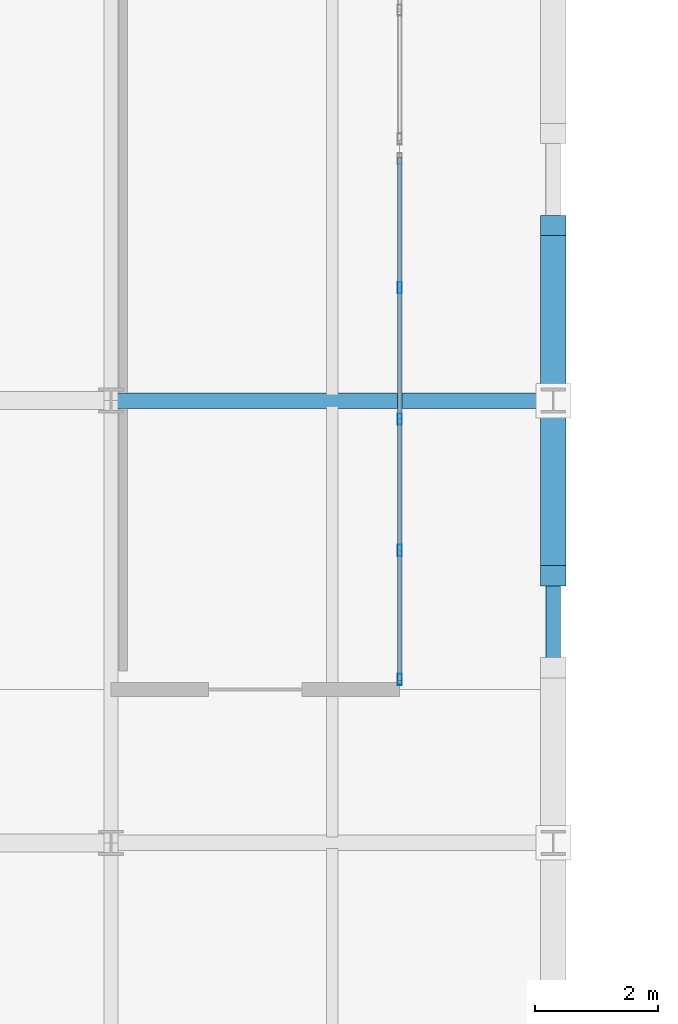
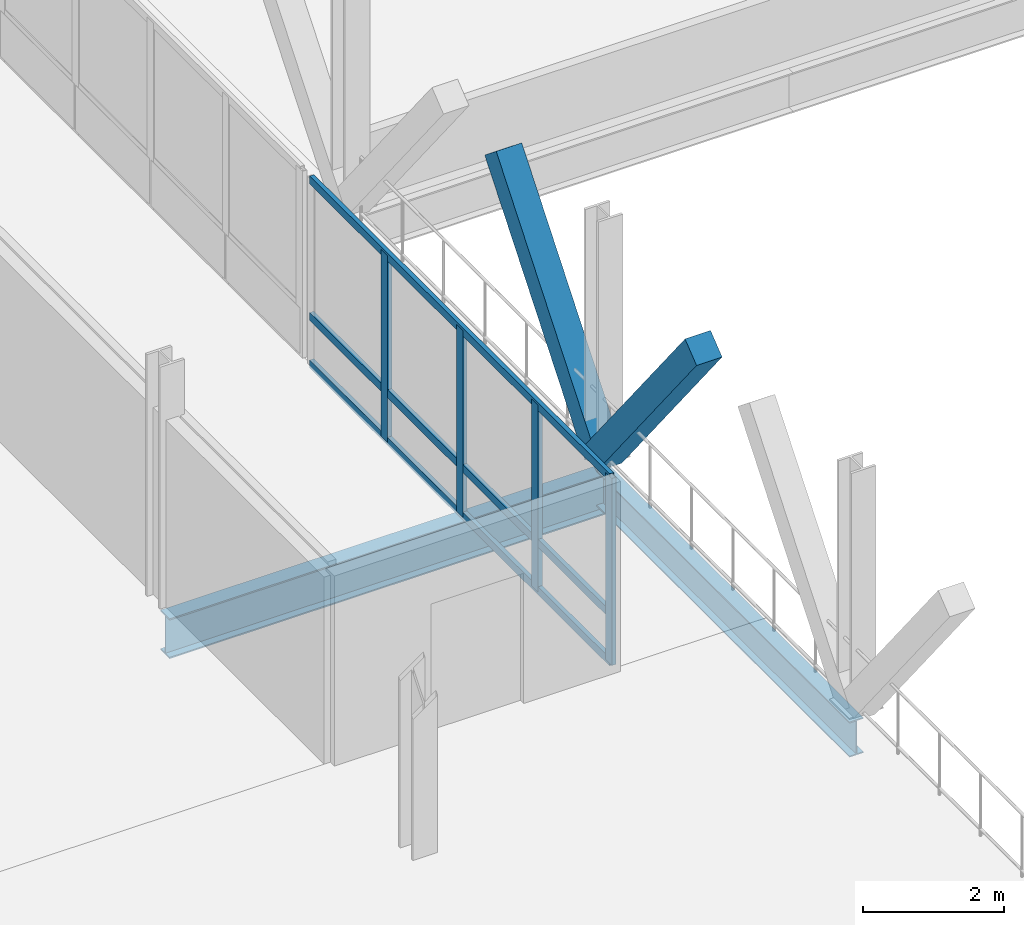
# One storey, part 13 of 102: 9 members, 2 beams, 1 element without a shape of its own.
"""IFC4 building model written with IfcOpenShell, lengths in metres."""

from ifc_helpers import new_model, si_unit, direction, frame, origin, origin_2d, place, context, subcontext, project, spatial, rectangle, hollow_rectangle, i_section, extrude, material, material_profile, profile_set, type_object, element, aggregate, save


model = new_model("IFC4")

# Units and contexts
model_context = context("Model", 3, precision=1e-05, world=origin(), true_north=direction((0.0, 1.0)))
body_context = subcontext(model_context, "Body", "Model", "MODEL_VIEW")
ifc_project = project(units=[si_unit("LENGTHUNIT", "METRE"), si_unit("AREAUNIT", "SQUARE_METRE"), si_unit("VOLUMEUNIT", "CUBIC_METRE"), si_unit("PLANEANGLEUNIT", "RADIAN"), si_unit("MASSUNIT", "GRAM", prefix="KILO")], contexts=[model_context])

# Site, building, storey
site_placement = place(None, origin())
site = spatial("IfcSite", under=ifc_project, at=site_placement, CompositionType="ELEMENT")
building_placement = place(site_placement, origin())
building = spatial("IfcBuilding", under=site, at=building_placement, Name="Yarey Park Central Fire Station", CompositionType="ELEMENT")
storey_placement = place(building_placement, frame((0.0, 0.0, 6.0)))
storey = spatial("IfcBuildingStorey", under=building, at=storey_placement, Name="L02", CompositionType="ELEMENT", Elevation=6.0)

# Curtain wall, members
ifc_material_1 = material(Name="Anodized Aluminium Frame", Category="aluminium")
curtain_wall_type = type_object("IfcCurtainWallType", Name="ENV_CW_V3_GALW", PredefinedType="NOTDEFINED", material=ifc_material_1)
curtain_wall_placement = place(storey_placement, origin())
curtain_wall = element("IfcCurtainWall", 1, at=curtain_wall_placement, inside=storey, type_object=curtain_wall_type, Name="CW_L02_V1_E_037", PredefinedType="NOTDEFINED")
ifc_material_profile_1 = material_profile(ifc_material_1, hollow_rectangle(XDim=0.070068359375, YDim=0.179931640625, WallThickness=0.00390625, at=origin_2d()), Name="ALU 180x70x4")
ifc_profile_set_1 = profile_set([ifc_material_profile_1], Name="Anodized Aluminium Frame")
member_type_1 = type_object("IfcMemberType", Name="ENV_CW_MULLION", PredefinedType="MULLION", material=ifc_profile_set_1)
member_1_placement = place(storey_placement, frame((55.10009765625, 24.260009765625, 0.0), z_axis=(0.0, 0.0, 1.0), x_axis=(1.0, 0.0, 0.0)))
member_1 = element("IfcMember", 2, at=member_1_placement, type_object=member_type_1, Name="CW_L02_V1_E_037_MUL1", PredefinedType="MULLION", context=body_context, shape_type="SweptSolid", body=[
    extrude(hollow_rectangle(XDim=0.070068359375, YDim=0.179931640625, WallThickness=0.00390625, at=origin_2d()), origin(), (0.0, 0.0, 1.0), 3.2470703125),
])
member_2_placement = place(storey_placement, frame((55.10009765625, 26.360107421875, 0.0), z_axis=(0.0, 0.0, 1.0), x_axis=(1.0, 0.0, 0.0)))
member_2 = element("IfcMember", 3, at=member_2_placement, type_object=member_type_1, Name="CW_L02_V1_E_037_MUL2", PredefinedType="MULLION", context=body_context, shape_type="SweptSolid", body=[
    extrude(hollow_rectangle(XDim=0.070068359375, YDim=0.179931640625, WallThickness=0.00390625, at=origin_2d()), origin(), (0.0, 0.0, 1.0), 3.2470703125),
])
member_3_placement = place(storey_placement, frame((55.10009765625, 28.5, 0.0), z_axis=(0.0, 0.0, 1.0), x_axis=(1.0, 0.0, 0.0)))
member_3 = element("IfcMember", 4, at=member_3_placement, type_object=member_type_1, Name="CW_L02_V1_E_037_MUL3", PredefinedType="MULLION", context=body_context, shape_type="SweptSolid", body=[
    extrude(hollow_rectangle(XDim=0.070068359375, YDim=0.179931640625, WallThickness=0.00390625, at=origin_2d()), origin(), (0.0, 0.0, 1.0), 3.2470703125),
])
member_4_placement = place(storey_placement, frame((55.10009765625, 30.639892578125, 0.0), z_axis=(0.0, 0.0, 1.0), x_axis=(1.0, 0.0, 0.0)))
member_4 = element("IfcMember", 5, at=member_4_placement, type_object=member_type_1, Name="CW_L02_V1_E_037_MUL4", PredefinedType="MULLION", context=body_context, shape_type="SweptSolid", body=[
    extrude(hollow_rectangle(XDim=0.070068359375, YDim=0.179931640625, WallThickness=0.00390625, at=origin_2d()), origin(), (0.0, 0.0, 1.0), 3.2470703125),
])
ifc_material_profile_2 = material_profile(ifc_material_1, hollow_rectangle(XDim=0.070068359375, YDim=0.139892578125, WallThickness=0.00390625, at=origin_2d()), Name="ALU 140x70x4")
ifc_profile_set_2 = profile_set([ifc_material_profile_2], Name="Anodized Aluminium Frame")
member_type_2 = type_object("IfcMemberType", Name="ENV_CW_TRANSOM", PredefinedType="USERDEFINED", material=ifc_profile_set_2)
member_5_placement = place(storey_placement, frame((55.10009765625, 24.235107421875, 0.02490234375), z_axis=(0.0, 1.0, 0.0), x_axis=(-1.0, 0.0, 0.0)))
member_5 = element("IfcMember", 6, at=member_5_placement, type_object=member_type_2, Name="CW_L02_V1_E_037_TRN1", ObjectType="TRANSOM", PredefinedType="USERDEFINED", context=body_context, shape_type="SweptSolid", body=[
    extrude(hollow_rectangle(XDim=0.070068359375, YDim=0.139892578125, WallThickness=0.00390625, at=origin_2d()), origin(), (0.0, 0.0, 1.0), 8.52978515625),
])
member_6_placement = place(storey_placement, frame((55.10009765625, 24.235107421875, 0.85009765625), z_axis=(0.0, 1.0, 0.0), x_axis=(-1.0, 0.0, 0.0)))
member_6 = element("IfcMember", 7, at=member_6_placement, type_object=member_type_2, Name="CW_L02_V1_E_037_TRN2", ObjectType="TRANSOM", PredefinedType="USERDEFINED", context=body_context, shape_type="SweptSolid", body=[
    extrude(hollow_rectangle(XDim=0.070068359375, YDim=0.139892578125, WallThickness=0.00390625, at=origin_2d()), origin(), (0.0, 0.0, 1.0), 8.52978515625),
])
member_7_placement = place(storey_placement, frame((55.10009765625, 24.235107421875, 3.221923828125), z_axis=(0.0, 1.0, 0.0), x_axis=(-1.0, 0.0, 0.0)))
member_7 = element("IfcMember", 8, at=member_7_placement, type_object=member_type_2, Name="CW_L02_V1_E_037_TRN3", ObjectType="TRANSOM", PredefinedType="USERDEFINED", context=body_context, shape_type="SweptSolid", body=[
    extrude(hollow_rectangle(XDim=0.070068359375, YDim=0.139892578125, WallThickness=0.00390625, at=origin_2d()), origin(), (0.0, 0.0, 1.0), 8.52978515625),
])
aggregate(curtain_wall, [member_1, member_2, member_3, member_4, member_5, member_6, member_7])

# Beams
ifc_material_2 = material(Name="Steel ASTM A992 Gr. 50", Category="steel")
ifc_material_profile_3 = material_profile(ifc_material_2, i_section(OverallWidth=0.22900390625, OverallDepth=0.612060546875, WebThickness=0.011962890625, FlangeThickness=0.01953125, at=origin_2d()), Name="W610x125")
ifc_profile_set_3 = profile_set([ifc_material_profile_3], Name="Steel ASTM A992 Gr. 50")
beam_type_1 = type_object("IfcBeamType", Name="STR_BM_W610", PredefinedType="BEAM", material=ifc_profile_set_3)
beam_1_placement = place(storey_placement, frame((57.60009765625, 21.60009765625, -0.575927734375), z_axis=(0.0, 1.0, 0.0), x_axis=(-1.0, 0.0, 0.0)))
element("IfcBeam", 9, at=beam_1_placement, inside=storey, type_object=beam_type_1, Name="BMY L02 X576 Y216", PredefinedType="BEAM", context=body_context, shape_type="SweptSolid", body=[
    extrude(i_section(OverallWidth=0.22900390625, OverallDepth=0.612060546875, WebThickness=0.011962890625, FlangeThickness=0.01953125, at=origin_2d()), origin(), (0.0, 0.0, 1.0), 7.199951171875),
])
ifc_material_profile_4 = material_profile(ifc_material_2, i_section(OverallWidth=0.256103515625, OverallDepth=0.693115234375, WebThickness=0.014404296875, FlangeThickness=0.023681640625, at=origin_2d()), Name="W690x170")
ifc_profile_set_4 = profile_set([ifc_material_profile_4], Name="Steel ASTM A992 Gr. 50")
beam_type_2 = type_object("IfcBeamType", Name="STR_BM_W690", PredefinedType="BEAM", material=ifc_profile_set_4)
beam_2_placement = place(storey_placement, frame((50.39990234375, 28.800048828125, -0.631591796875), z_axis=(1.0, 0.0, 0.0), x_axis=(0.0, 1.0, 0.0)))
element("IfcBeam", 10, at=beam_2_placement, inside=storey, type_object=beam_type_2, Name="BMX L02 Y288 X504", PredefinedType="BEAM", context=body_context, shape_type="SweptSolid", body=[
    extrude(i_section(OverallWidth=0.256103515625, OverallDepth=0.693115234375, WebThickness=0.014404296875, FlangeThickness=0.023681640625, at=origin_2d()), origin(), (0.0, 0.0, 1.0), 7.2001953125),
])

# Members
ifc_material_3 = material(Name="Glulam GL28h", Category="wood")
ifc_material_profile_5 = material_profile(ifc_material_3, rectangle(XDim=0.419921875, YDim=0.419921875, at=origin_2d()), Name="GL 420x420")
ifc_profile_set_5 = profile_set([ifc_material_profile_5], Name="Glulam GL28h")
member_type_3 = type_object("IfcMemberType", Name="STR_STRUT_GL420", PredefinedType="STRUT", material=ifc_profile_set_5)
for number, where, z_axis, x_axis, name in (
    (11, (57.60009765625, 28.800048828125, -0.02001953125), (0.0, 0.623866946252, 0.781530570979), (-1.0, 0.0, 0.0), "Raked Glulam Strut RGS-65"),
    (12, (57.60009765625, 28.800048828125, -0.02001953125), (0.0, -0.623899588473, 0.781504512785), (1.0, 0.0, 0.0), "Raked Glulam Strut RGS-66"),
):
    element("IfcMember", number, at=place(storey_placement, frame(where, z_axis=z_axis, x_axis=x_axis)), inside=storey, type_object=member_type_3, Name=name, PredefinedType="STRUT", context=body_context, shape_type="SweptSolid", body=[
        extrude(rectangle(XDim=0.419921875, YDim=0.419921875, at=origin_2d()), origin(), (0.0, 0.0, 1.0), 4.568115234375),
    ])

save(model, "model.ifc")
